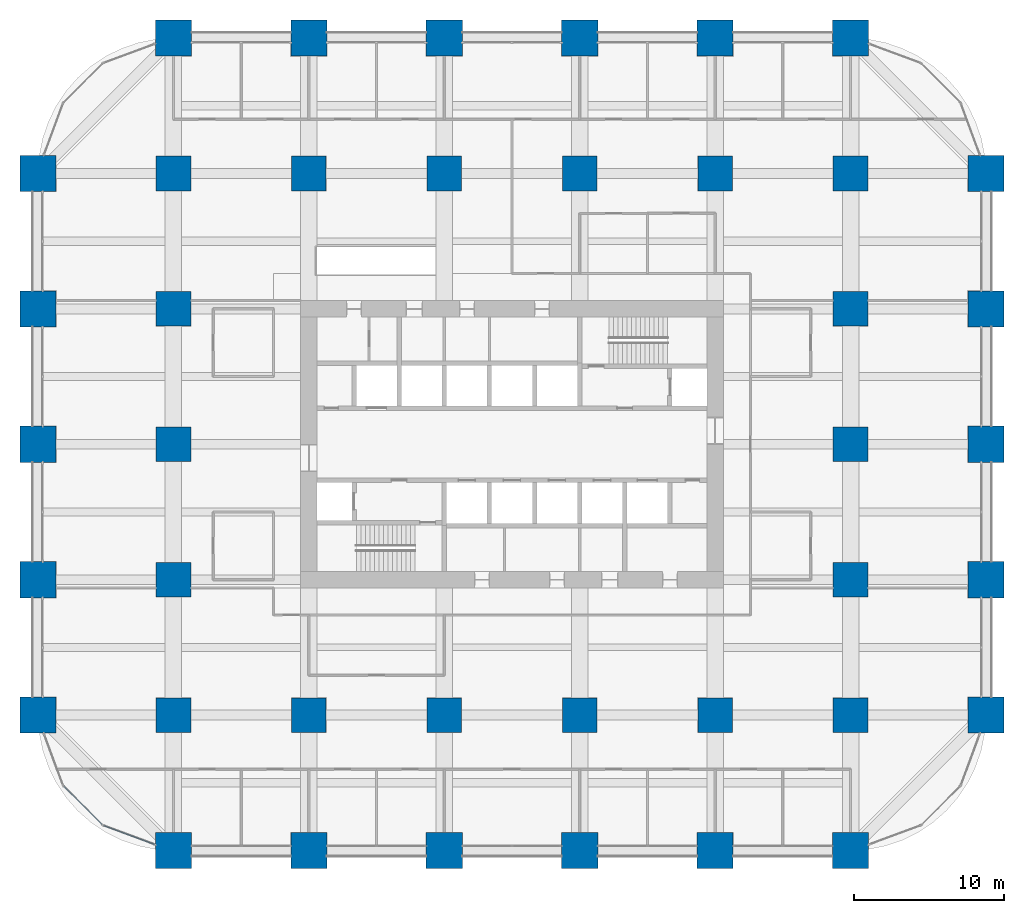
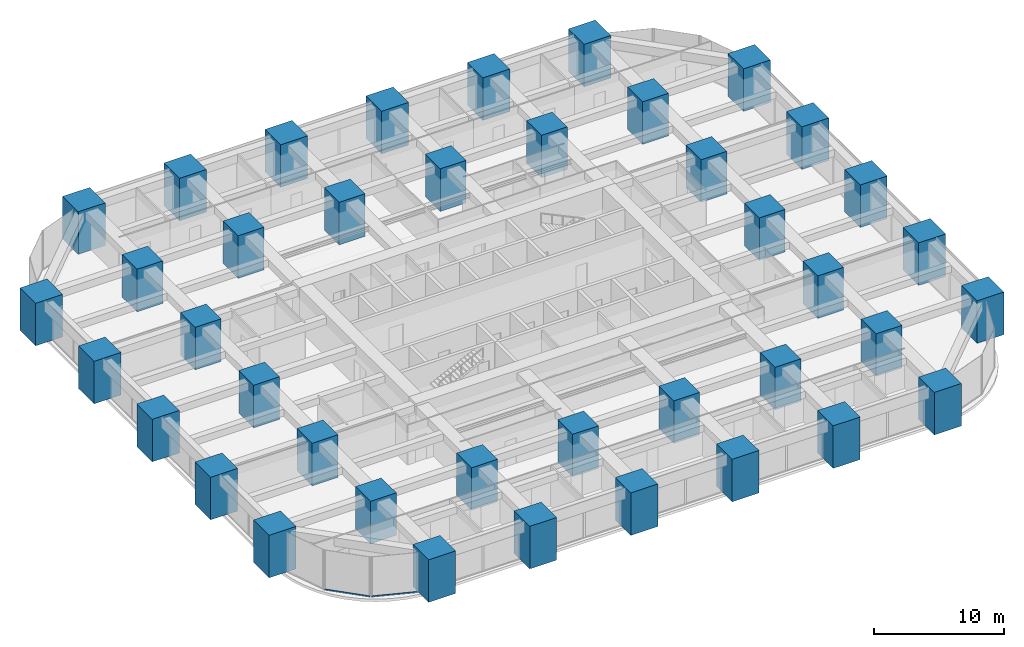
# One storey, part 1 of 44: 40 columns, 2 members, 2 elements without a shape of their own.
"""IFC4 building model written with IfcOpenShell, lengths in metres."""

import ifcopenshell
import ifcopenshell.guid

model = None  # the IFC model being written
_history = None  # IfcOwnerHistory: only IFC2X3 demands one
_inside = {}  # id of a spatial element -> (the spatial element, [elements in it])
_under = {}  # id of a project, library or spatial element -> (it, [spatial elements below it])
_declared = {}  # id of a project -> (the project, [libraries it declares])
_typed = {}  # id of a type object -> (the type object, [elements of that type])
_made_of = {}  # id of a material, layer set ... -> (it, [elements and type objects made of it])


def new_model(schema):
    """Start an empty IFC model of exactly this schema.

    Asked for "IFC4X3", IfcOpenShell would pick the latest addendum, in which some entities
    have other attributes; the version numbers below select the first issue.
    IFC2X3 requires an IfcOwnerHistory on every rooted entity: one is made here for all.
    """
    global model, _history
    if schema == "IFC4X3":
        model = ifcopenshell.file(schema_version=(4, 3, 0, 0))
    else:
        model = ifcopenshell.file(schema=schema)
    _inside.clear()
    _under.clear()
    _declared.clear()
    _typed.clear()
    _made_of.clear()
    _history = None
    if model.schema == "IFC2X3":
        org = make("IfcOrganization", Name="unknown")
        user = make(
            "IfcPersonAndOrganization",
            ThePerson=make("IfcPerson", FamilyName="unknown"),
            TheOrganization=org,
        )
        app = make(
            "IfcApplication",
            ApplicationDeveloper=org,
            Version="unknown",
            ApplicationFullName="unknown",
            ApplicationIdentifier="unknown",
        )
        _history = make(
            "IfcOwnerHistory",
            OwningUser=user,
            OwningApplication=app,
            ChangeAction="ADDED",
            CreationDate=0,
        )
    return model


def make(cls, **values):
    """One entity of the class cls with the attributes given. An attribute that is None is left unset."""
    return model.create_entity(
        cls, **{name: value for name, value in values.items() if value is not None}
    )


def rooted(cls, **values):
    """An entity with a GlobalId (a new one), such as an element, a storey or a relation."""
    return make(cls, GlobalId=ifcopenshell.guid.new(), OwnerHistory=_history, **values)


def si_unit(unit_type, name, prefix=None):
    """IfcSIUnit, for example si_unit("LENGTHUNIT", "METRE", prefix="MILLI")."""
    return make("IfcSIUnit", UnitType=unit_type, Prefix=prefix, Name=name)


def assignment(units):
    """IfcUnitAssignment: the units of a project."""
    return None if units is None else make("IfcUnitAssignment", Units=units)


def point(xyz):
    """IfcCartesianPoint."""
    return None if xyz is None else make("IfcCartesianPoint", Coordinates=xyz)


def direction(xyz):
    """IfcDirection."""
    return None if xyz is None else make("IfcDirection", DirectionRatios=xyz)


def frame(location, z_axis=None, x_axis=None):
    """IfcAxis2Placement3D, a coordinate frame: its origin and axes. An axis left out is left unset."""
    return make(
        "IfcAxis2Placement3D",
        Location=point(location),
        Axis=direction(z_axis),
        RefDirection=direction(x_axis),
    )


def frame_2d(location, x_axis=None):
    """IfcAxis2Placement2D, a coordinate frame in the plane: its origin and x axis."""
    return make(
        "IfcAxis2Placement2D", Location=point(location), RefDirection=direction(x_axis)
    )


def origin():
    """The frame at (0, 0, 0) with its axes left unset."""
    return frame((0.0, 0.0, 0.0))


def origin_2d():
    """The frame at (0, 0) in the plane with its x axis left unset."""
    return frame_2d((0.0, 0.0))


def place(relative_to, where):
    """IfcLocalPlacement: puts the frame where relative to a parent placement (None: the world)."""
    return make(
        "IfcLocalPlacement", PlacementRelTo=relative_to, RelativePlacement=where
    )


def context(
    kind, dimensions, precision=None, world=None, true_north=None, identifier=None
):
    """IfcGeometricRepresentationContext, for example the 3D "Model" context."""
    return make(
        "IfcGeometricRepresentationContext",
        ContextIdentifier=identifier,
        ContextType=kind,
        CoordinateSpaceDimension=dimensions,
        Precision=precision,
        WorldCoordinateSystem=world,
        TrueNorth=true_north,
    )


def subcontext(parent, identifier, kind, view, scale=None):
    """IfcGeometricRepresentationSubContext, for example "Body" below "Model"."""
    return make(
        "IfcGeometricRepresentationSubContext",
        ContextIdentifier=identifier,
        ContextType=kind,
        ParentContext=parent,
        TargetScale=scale,
        TargetView=view,
    )


def project(units=None, contexts=None):
    """IfcProject with its units and contexts."""
    return rooted(
        "IfcProject",
        Name="project",
        RepresentationContexts=contexts,
        UnitsInContext=assignment(units),
    )


def spatial(cls, under=None, at=None, **own):
    """A site, building, storey or space (cls), placed at a placement, below another one or the project."""
    s = rooted(cls, ObjectPlacement=at, **own)
    if under is not None:
        _under.setdefault(under.id(), (under, []))[1].append(s)
    return s


def profile(cls, at=None, kind="AREA", **sizes):
    """A parametric profile (cls). Its sizes go by their IFC names, for example OverallWidth=200.0."""
    return make(cls, ProfileType=kind, Position=at, **sizes)


def rectangle(**sizes):
    """IfcRectangleProfileDef."""
    return profile("IfcRectangleProfileDef", **sizes)


def hollow_rectangle(**sizes):
    """IfcRectangleHollowProfileDef."""
    return profile("IfcRectangleHollowProfileDef", **sizes)


def extrude(swept, where, along, depth):
    """IfcExtrudedAreaSolid: the profile swept, set in the frame where, extruded along a direction by depth."""
    return make(
        "IfcExtrudedAreaSolid",
        SweptArea=swept,
        Position=where,
        ExtrudedDirection=direction(along),
        Depth=depth,
    )


def shape(context_of_items, identifier, shape_type, items):
    """IfcShapeRepresentation: the items that make up one representation, for example the "Body"."""
    return make(
        "IfcShapeRepresentation",
        ContextOfItems=context_of_items,
        RepresentationIdentifier=identifier,
        RepresentationType=shape_type,
        Items=items,
    )


def material(Name=None, Category=None):
    """IfcMaterial."""
    return make("IfcMaterial", Name=Name, Category=Category)


def material_profile(
    of_material, cross_section, Name=None, Category=None, Priority=None
):
    """IfcMaterialProfile: a cross section and its material."""
    return make(
        "IfcMaterialProfile",
        Name=Name,
        Material=of_material,
        Profile=cross_section,
        Priority=Priority,
        Category=Category,
    )


def profile_set(profiles, Name=None, composite=None):
    """IfcMaterialProfileSet."""
    return make(
        "IfcMaterialProfileSet",
        Name=Name,
        MaterialProfiles=profiles,
        CompositeProfile=composite,
    )


def made_of(thing, what):
    """Note that an element or type object is made of a material, layer set ...; save() writes the relation."""
    if what is not None:
        _made_of.setdefault(what.id(), (what, []))[1].append(thing)
    return thing


def type_object(cls, material=None, **own):
    """A type object (cls), such as IfcWallType, which elements share."""
    return made_of(rooted(cls, **own), material)


def element(
    cls,
    number,
    at=None,
    inside=None,
    cuts=None,
    type_object=None,
    material=None,
    context=None,
    identifier="Body",
    shape_type=None,
    held_by="IfcProductDefinitionShape",
    body=None,
    shapes=None,
    **own,
):
    """One element of the class cls, such as IfcWall. Its Tag is "e" and its number.

    at: its placement. inside: the storey or other place that contains it. cuts: it is an
    opening in that element (IfcRelVoidsElement). A single representation is given by context,
    identifier, shape_type and body (its items); several are given by shapes. held_by: the class
    of the entity that holds the representations. save() writes the other relations.
    """
    e = rooted(cls, Tag="e%d" % number, ObjectPlacement=at, **own)
    if body is not None:
        shapes = [shape(context, identifier, shape_type, body)]
    if shapes is not None:
        e.Representation = make(held_by, Representations=shapes)
    if inside is not None:
        _inside.setdefault(inside.id(), (inside, []))[1].append(e)
    if cuts is not None:
        rooted(
            "IfcRelVoidsElement", RelatingBuildingElement=cuts, RelatedOpeningElement=e
        )
    if type_object is not None:
        _typed.setdefault(type_object.id(), (type_object, []))[1].append(e)
    return made_of(e, material)


def aggregate(whole, parts):
    """IfcRelAggregates: a whole, such as a stair, and the parts it consists of."""
    return rooted("IfcRelAggregates", RelatingObject=whole, RelatedObjects=parts)


def save(model, path):
    """Write the relations noted so far, then the file.

    IfcRelAggregates (storeys below a building ...), IfcRelContainedInSpatialStructure (elements
    in a storey), IfcRelDefinesByType, IfcRelAssociatesMaterial and IfcRelDeclares: one each for
    every whole, place, type object, material and project.
    """
    for whole, parts in _under.values():
        aggregate(whole, parts)
    for where, things in _inside.values():
        rooted(
            "IfcRelContainedInSpatialStructure",
            RelatedElements=things,
            RelatingStructure=where,
        )
    for kind, things in _typed.values():
        rooted("IfcRelDefinesByType", RelatedObjects=things, RelatingType=kind)
    for what, things in _made_of.values():
        rooted("IfcRelAssociatesMaterial", RelatedObjects=things, RelatingMaterial=what)
    for by, libraries in _declared.values():
        rooted("IfcRelDeclares", RelatingContext=by, RelatedDefinitions=libraries)
    model.write(path)


model = new_model("IFC4")

# Units and contexts
model_context = context("Model", 3, precision=1e-05, world=origin(), true_north=direction((0.0, 1.0)))
body_context = subcontext(model_context, "Body", "Model", "MODEL_VIEW")
ifc_project = project(units=[si_unit("LENGTHUNIT", "METRE"), si_unit("AREAUNIT", "SQUARE_METRE"), si_unit("VOLUMEUNIT", "CUBIC_METRE"), si_unit("PLANEANGLEUNIT", "RADIAN"), si_unit("MASSUNIT", "GRAM", prefix="KILO")], contexts=[model_context])

# Site, building, storey
site_placement = place(None, origin())
site = spatial("IfcSite", under=ifc_project, at=site_placement, CompositionType="ELEMENT")
building_placement = place(site_placement, origin())
building = spatial("IfcBuilding", under=site, at=building_placement, Name="Zorevar Civic Tower", CompositionType="ELEMENT")
storey_placement = place(building_placement, frame((0.0, 0.0, 43.800048828125)))
storey = spatial("IfcBuildingStorey", under=building, at=storey_placement, Name="L10", CompositionType="ELEMENT", Elevation=43.800048828125)

# Columns
ifc_material_1 = material(Name="Concrete C50/60", Category="concrete")
ifc_material_profile_1 = material_profile(ifc_material_1, rectangle(XDim=2.300048828125, YDim=2.300048828125, at=origin_2d()), Name="RC 2300x2300")
ifc_profile_set_1 = profile_set([ifc_material_profile_1], Name="Concrete C50/60")
column_type_1 = type_object("IfcColumnType", Name="Column RC 2300x2300", PredefinedType="COLUMN", material=ifc_profile_set_1)
for number, where, z_axis, x_axis, name in (
    (1, (9.0, 9.0, 0.0), (0.0, 0.0, 1.0), (1.0, 0.0, 0.0), "Column 3B L10"),
    (2, (9.0, 18.0, 0.0), (0.0, 0.0, 1.0), (1.0, 0.0, 0.0), "Column 3C L10"),
    (3, (9.0, 27.0, 0.0), (0.0, 0.0, 1.0), (1.0, 0.0, 0.0), "Column 3D L10"),
    (4, (9.0, 36.0, 0.0), (0.0, 0.0, 1.0), (1.0, 0.0, 0.0), "Column 3E L10"),
    (5, (9.0, 45.0, 0.0), (0.0, 0.0, 1.0), (1.0, 0.0, 0.0), "Column 3F L10"),
    (6, (18.0, 9.0, 0.0), (0.0, 0.0, 1.0), (1.0, 0.0, 0.0), "Column 4B L10"),
    (7, (18.0, 45.0, 0.0), (0.0, 0.0, 1.0), (1.0, 0.0, 0.0), "Column 4F L10"),
    (8, (27.0, 9.0, 0.0), (0.0, 0.0, 1.0), (1.0, 0.0, 0.0), "Column 5B L10"),
    (9, (27.0, 45.0, 0.0), (0.0, 0.0, 1.0), (1.0, 0.0, 0.0), "Column 5F L10"),
    (10, (36.0, 9.0, 0.0), (0.0, 0.0, 1.0), (1.0, 0.0, 0.0), "Column 6B L10"),
    (11, (36.0, 45.0, 0.0), (0.0, 0.0, 1.0), (1.0, 0.0, 0.0), "Column 6F L10"),
    (12, (45.0, 9.0, 0.0), (0.0, 0.0, 1.0), (1.0, 0.0, 0.0), "Column 7B L10"),
    (13, (45.0, 45.0, 0.0), (0.0, 0.0, 1.0), (1.0, 0.0, 0.0), "Column 7F L10"),
    (14, (54.0, 9.0, 0.0), (0.0, 0.0, 1.0), (1.0, 0.0, 0.0), "Column 8B L10"),
    (15, (54.0, 18.0, 0.0), (0.0, 0.0, 1.0), (1.0, 0.0, 0.0), "Column 8C L10"),
    (16, (54.0, 27.0, 0.0), (0.0, 0.0, 1.0), (1.0, 0.0, 0.0), "Column 8D L10"),
    (17, (54.0, 36.0, 0.0), (0.0, 0.0, 1.0), (1.0, 0.0, 0.0), "Column 8E L10"),
    (18, (54.0, 45.0, 0.0), (0.0, 0.0, 1.0), (1.0, 0.0, 0.0), "Column 8F L10"),
):
    element("IfcColumn", number, at=place(storey_placement, frame(where, z_axis=z_axis, x_axis=x_axis)), inside=storey, type_object=column_type_1, Name=name, PredefinedType="COLUMN", context=body_context, shape_type="SweptSolid", body=[
        extrude(rectangle(XDim=2.300048828125, YDim=2.300048828125, at=origin_2d()), origin(), (0.0, 0.0, 1.0), 4.0),
    ])
ifc_material_2 = material(Name="Concrete C50/60", Category="concrete")
ifc_material_profile_2 = material_profile(ifc_material_2, rectangle(XDim=2.39990234375, YDim=2.39990234375, at=origin_2d()), Name="RC 2400x2400")
ifc_profile_set_2 = profile_set([ifc_material_profile_2], Name="Concrete C50/60")
column_type_2 = type_object("IfcColumnType", Name="Column RC 2400x2400", PredefinedType="COLUMN", material=ifc_profile_set_2)
for number, where, z_axis, x_axis, name in (
    (19, (0.0, 9.0, 0.0), (0.0, 0.0, 1.0), (1.0, 0.0, 0.0), "Column 2B L10"),
    (20, (0.0, 18.0, 0.0), (0.0, 0.0, 1.0), (1.0, 0.0, 0.0), "Column 2C L10"),
    (21, (0.0, 27.0, 0.0), (0.0, 0.0, 1.0), (1.0, 0.0, 0.0), "Column 2D L10"),
    (22, (0.0, 36.0, 0.0), (0.0, 0.0, 1.0), (1.0, 0.0, 0.0), "Column 2E L10"),
    (23, (0.0, 45.0, 0.0), (0.0, 0.0, 1.0), (1.0, 0.0, 0.0), "Column 2F L10"),
    (24, (9.0, 0.0, 0.0), (0.0, 0.0, 1.0), (1.0, 0.0, 0.0), "Column 3A L10"),
    (25, (9.0, 54.0, 0.0), (0.0, 0.0, 1.0), (1.0, 0.0, 0.0), "Column 3G L10"),
    (26, (18.0, 0.0, 0.0), (0.0, 0.0, 1.0), (1.0, 0.0, 0.0), "Column 4A L10"),
    (27, (18.0, 54.0, 0.0), (0.0, 0.0, 1.0), (1.0, 0.0, 0.0), "Column 4G L10"),
    (28, (27.0, 0.0, 0.0), (0.0, 0.0, 1.0), (1.0, 0.0, 0.0), "Column 5A L10"),
    (29, (27.0, 54.0, 0.0), (0.0, 0.0, 1.0), (1.0, 0.0, 0.0), "Column 5G L10"),
    (30, (36.0, 0.0, 0.0), (0.0, 0.0, 1.0), (1.0, 0.0, 0.0), "Column 6A L10"),
    (31, (36.0, 54.0, 0.0), (0.0, 0.0, 1.0), (1.0, 0.0, 0.0), "Column 6G L10"),
    (32, (45.0, 0.0, 0.0), (0.0, 0.0, 1.0), (1.0, 0.0, 0.0), "Column 7A L10"),
    (33, (45.0, 54.0, 0.0), (0.0, 0.0, 1.0), (1.0, 0.0, 0.0), "Column 7G L10"),
    (34, (54.0, 0.0, 0.0), (0.0, 0.0, 1.0), (1.0, 0.0, 0.0), "Column 8A L10"),
    (35, (54.0, 54.0, 0.0), (0.0, 0.0, 1.0), (1.0, 0.0, 0.0), "Column 8G L10"),
    (36, (63.0, 9.0, 0.0), (0.0, 0.0, 1.0), (1.0, 0.0, 0.0), "Column 9B L10"),
    (37, (63.0, 18.0, 0.0), (0.0, 0.0, 1.0), (1.0, 0.0, 0.0), "Column 9C L10"),
    (38, (63.0, 27.0, 0.0), (0.0, 0.0, 1.0), (1.0, 0.0, 0.0), "Column 9D L10"),
    (39, (63.0, 36.0, 0.0), (0.0, 0.0, 1.0), (1.0, 0.0, 0.0), "Column 9E L10"),
    (40, (63.0, 45.0, 0.0), (0.0, 0.0, 1.0), (1.0, 0.0, 0.0), "Column 9F L10"),
):
    element("IfcColumn", number, at=place(storey_placement, frame(where, z_axis=z_axis, x_axis=x_axis)), inside=storey, type_object=column_type_2, Name=name, PredefinedType="COLUMN", context=body_context, shape_type="SweptSolid", body=[
        extrude(rectangle(XDim=2.39990234375, YDim=2.39990234375, at=origin_2d()), origin(), (0.0, 0.0, 1.0), 4.0),
    ])

# Curtain wall, member
ifc_material_3 = material(Name="Dark grey solar-control glass in black aluminium frame", Category="aluminium")
curtain_wall_type = type_object("IfcCurtainWallType", Name="Curtain wall CW2 low zone", PredefinedType="NOTDEFINED", material=ifc_material_3)
curtain_wall_1_placement = place(storey_placement, origin())
curtain_wall_1 = element("IfcCurtainWall", 41, at=curtain_wall_1_placement, inside=storey, type_object=curtain_wall_type, Name="CW2 L10", PredefinedType="NOTDEFINED")
ifc_material_4 = material(Name="Aluminium, black anodised", Category="aluminium")
ifc_material_profile_3 = material_profile(ifc_material_4, hollow_rectangle(XDim=0.06005859375, YDim=0.14990234375, WallThickness=0.00390625, at=origin_2d()), Name="AL 150x60x4")
ifc_profile_set_3 = profile_set([ifc_material_profile_3], Name="Aluminium, black anodised")
member_type = type_object("IfcMemberType", Name="CW2 transom AL 150x60x4", PredefinedType="USERDEFINED", material=ifc_profile_set_3)
member_1_placement = place(storey_placement, frame((1.716552734375, 4.264892578125, 0.030029296875), z_axis=(0.707106781187, -0.707106781187, 0.0), x_axis=(0.707106781187, 0.707106781187, 0.0)))
member_1 = element("IfcMember", 42, at=member_1_placement, type_object=member_type, Name="CW2 sill transom", ObjectType="TRANSOM", PredefinedType="USERDEFINED", context=body_context, shape_type="SweptSolid", body=[
    extrude(hollow_rectangle(XDim=0.06005859375, YDim=0.14990234375, WallThickness=0.00390625, at=origin_2d()), origin(), (0.0, 0.0, 1.0), 3.60400390625),
])
aggregate(curtain_wall_1, [member_1])

curtain_wall_2_placement = place(storey_placement, origin())
curtain_wall_2 = element("IfcCurtainWall", 43, at=curtain_wall_2_placement, inside=storey, type_object=curtain_wall_type, Name="CW2 L10", PredefinedType="NOTDEFINED")
member_2_placement = place(storey_placement, frame((4.363525390625, 1.6533203125, 0.030029296875), z_axis=(0.93798635741, -0.346672169799, 0.0), x_axis=(0.346672169799, 0.93798635741, 0.0)))
member_2 = element("IfcMember", 44, at=member_2_placement, type_object=member_type, Name="CW2 sill transom", ObjectType="TRANSOM", PredefinedType="USERDEFINED", context=body_context, shape_type="SweptSolid", body=[
    extrude(hollow_rectangle(XDim=0.06005859375, YDim=0.14990234375, WallThickness=0.00390625, at=origin_2d()), origin(), (0.0, 0.0, 1.0), 3.603515625),
])
aggregate(curtain_wall_2, [member_2])

save(model, "model.ifc")
